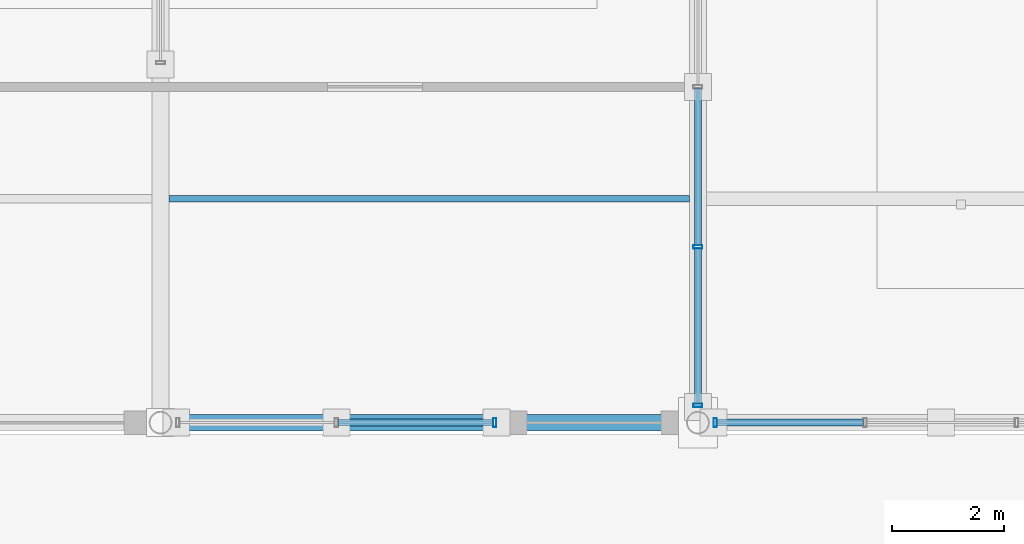
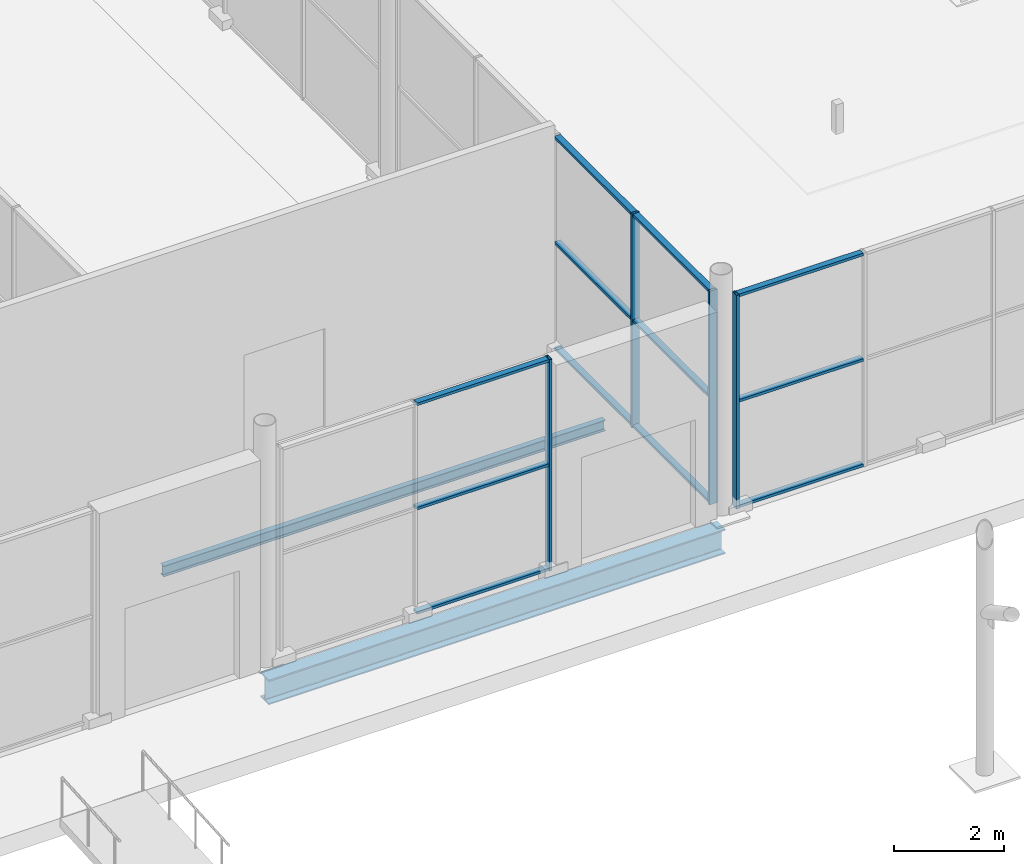
# One storey, part 61 of 196: 16 members, 2 beams, 3 elements without a shape of their own.
"""IFC4 building model written with IfcOpenShell, lengths in metres."""

import ifcopenshell
import ifcopenshell.guid

model = None  # the IFC model being written
_history = None  # IfcOwnerHistory: only IFC2X3 demands one
_inside = {}  # id of a spatial element -> (the spatial element, [elements in it])
_under = {}  # id of a project, library or spatial element -> (it, [spatial elements below it])
_declared = {}  # id of a project -> (the project, [libraries it declares])
_typed = {}  # id of a type object -> (the type object, [elements of that type])
_made_of = {}  # id of a material, layer set ... -> (it, [elements and type objects made of it])


def new_model(schema):
    """Start an empty IFC model of exactly this schema.

    Asked for "IFC4X3", IfcOpenShell would pick the latest addendum, in which some entities
    have other attributes; the version numbers below select the first issue.
    IFC2X3 requires an IfcOwnerHistory on every rooted entity: one is made here for all.
    """
    global model, _history
    if schema == "IFC4X3":
        model = ifcopenshell.file(schema_version=(4, 3, 0, 0))
    else:
        model = ifcopenshell.file(schema=schema)
    _inside.clear()
    _under.clear()
    _declared.clear()
    _typed.clear()
    _made_of.clear()
    _history = None
    if model.schema == "IFC2X3":
        org = make("IfcOrganization", Name="unknown")
        user = make(
            "IfcPersonAndOrganization",
            ThePerson=make("IfcPerson", FamilyName="unknown"),
            TheOrganization=org,
        )
        app = make(
            "IfcApplication",
            ApplicationDeveloper=org,
            Version="unknown",
            ApplicationFullName="unknown",
            ApplicationIdentifier="unknown",
        )
        _history = make(
            "IfcOwnerHistory",
            OwningUser=user,
            OwningApplication=app,
            ChangeAction="ADDED",
            CreationDate=0,
        )
    return model


def make(cls, **values):
    """One entity of the class cls with the attributes given. An attribute that is None is left unset."""
    return model.create_entity(
        cls, **{name: value for name, value in values.items() if value is not None}
    )


def rooted(cls, **values):
    """An entity with a GlobalId (a new one), such as an element, a storey or a relation."""
    return make(cls, GlobalId=ifcopenshell.guid.new(), OwnerHistory=_history, **values)


def si_unit(unit_type, name, prefix=None):
    """IfcSIUnit, for example si_unit("LENGTHUNIT", "METRE", prefix="MILLI")."""
    return make("IfcSIUnit", UnitType=unit_type, Prefix=prefix, Name=name)


def assignment(units):
    """IfcUnitAssignment: the units of a project."""
    return None if units is None else make("IfcUnitAssignment", Units=units)


def point(xyz):
    """IfcCartesianPoint."""
    return None if xyz is None else make("IfcCartesianPoint", Coordinates=xyz)


def direction(xyz):
    """IfcDirection."""
    return None if xyz is None else make("IfcDirection", DirectionRatios=xyz)


def frame(location, z_axis=None, x_axis=None):
    """IfcAxis2Placement3D, a coordinate frame: its origin and axes. An axis left out is left unset."""
    return make(
        "IfcAxis2Placement3D",
        Location=point(location),
        Axis=direction(z_axis),
        RefDirection=direction(x_axis),
    )


def frame_2d(location, x_axis=None):
    """IfcAxis2Placement2D, a coordinate frame in the plane: its origin and x axis."""
    return make(
        "IfcAxis2Placement2D", Location=point(location), RefDirection=direction(x_axis)
    )


def origin():
    """The frame at (0, 0, 0) with its axes left unset."""
    return frame((0.0, 0.0, 0.0))


def origin_2d():
    """The frame at (0, 0) in the plane with its x axis left unset."""
    return frame_2d((0.0, 0.0))


def place(relative_to, where):
    """IfcLocalPlacement: puts the frame where relative to a parent placement (None: the world)."""
    return make(
        "IfcLocalPlacement", PlacementRelTo=relative_to, RelativePlacement=where
    )


def context(
    kind, dimensions, precision=None, world=None, true_north=None, identifier=None
):
    """IfcGeometricRepresentationContext, for example the 3D "Model" context."""
    return make(
        "IfcGeometricRepresentationContext",
        ContextIdentifier=identifier,
        ContextType=kind,
        CoordinateSpaceDimension=dimensions,
        Precision=precision,
        WorldCoordinateSystem=world,
        TrueNorth=true_north,
    )


def subcontext(parent, identifier, kind, view, scale=None):
    """IfcGeometricRepresentationSubContext, for example "Body" below "Model"."""
    return make(
        "IfcGeometricRepresentationSubContext",
        ContextIdentifier=identifier,
        ContextType=kind,
        ParentContext=parent,
        TargetScale=scale,
        TargetView=view,
    )


def project(units=None, contexts=None):
    """IfcProject with its units and contexts."""
    return rooted(
        "IfcProject",
        Name="project",
        RepresentationContexts=contexts,
        UnitsInContext=assignment(units),
    )


def spatial(cls, under=None, at=None, **own):
    """A site, building, storey or space (cls), placed at a placement, below another one or the project."""
    s = rooted(cls, ObjectPlacement=at, **own)
    if under is not None:
        _under.setdefault(under.id(), (under, []))[1].append(s)
    return s


def profile(cls, at=None, kind="AREA", **sizes):
    """A parametric profile (cls). Its sizes go by their IFC names, for example OverallWidth=200.0."""
    return make(cls, ProfileType=kind, Position=at, **sizes)


def hollow_rectangle(**sizes):
    """IfcRectangleHollowProfileDef."""
    return profile("IfcRectangleHollowProfileDef", **sizes)


def i_section(**sizes):
    """IfcIShapeProfileDef."""
    return profile("IfcIShapeProfileDef", **sizes)


def extrude(swept, where, along, depth):
    """IfcExtrudedAreaSolid: the profile swept, set in the frame where, extruded along a direction by depth."""
    return make(
        "IfcExtrudedAreaSolid",
        SweptArea=swept,
        Position=where,
        ExtrudedDirection=direction(along),
        Depth=depth,
    )


def shape(context_of_items, identifier, shape_type, items):
    """IfcShapeRepresentation: the items that make up one representation, for example the "Body"."""
    return make(
        "IfcShapeRepresentation",
        ContextOfItems=context_of_items,
        RepresentationIdentifier=identifier,
        RepresentationType=shape_type,
        Items=items,
    )


def material(Name=None, Category=None):
    """IfcMaterial."""
    return make("IfcMaterial", Name=Name, Category=Category)


def material_profile(
    of_material, cross_section, Name=None, Category=None, Priority=None
):
    """IfcMaterialProfile: a cross section and its material."""
    return make(
        "IfcMaterialProfile",
        Name=Name,
        Material=of_material,
        Profile=cross_section,
        Priority=Priority,
        Category=Category,
    )


def profile_set(profiles, Name=None, composite=None):
    """IfcMaterialProfileSet."""
    return make(
        "IfcMaterialProfileSet",
        Name=Name,
        MaterialProfiles=profiles,
        CompositeProfile=composite,
    )


def made_of(thing, what):
    """Note that an element or type object is made of a material, layer set ...; save() writes the relation."""
    if what is not None:
        _made_of.setdefault(what.id(), (what, []))[1].append(thing)
    return thing


def type_object(cls, material=None, **own):
    """A type object (cls), such as IfcWallType, which elements share."""
    return made_of(rooted(cls, **own), material)


def element(
    cls,
    number,
    at=None,
    inside=None,
    cuts=None,
    type_object=None,
    material=None,
    context=None,
    identifier="Body",
    shape_type=None,
    held_by="IfcProductDefinitionShape",
    body=None,
    shapes=None,
    **own,
):
    """One element of the class cls, such as IfcWall. Its Tag is "e" and its number.

    at: its placement. inside: the storey or other place that contains it. cuts: it is an
    opening in that element (IfcRelVoidsElement). A single representation is given by context,
    identifier, shape_type and body (its items); several are given by shapes. held_by: the class
    of the entity that holds the representations. save() writes the other relations.
    """
    e = rooted(cls, Tag="e%d" % number, ObjectPlacement=at, **own)
    if body is not None:
        shapes = [shape(context, identifier, shape_type, body)]
    if shapes is not None:
        e.Representation = make(held_by, Representations=shapes)
    if inside is not None:
        _inside.setdefault(inside.id(), (inside, []))[1].append(e)
    if cuts is not None:
        rooted(
            "IfcRelVoidsElement", RelatingBuildingElement=cuts, RelatedOpeningElement=e
        )
    if type_object is not None:
        _typed.setdefault(type_object.id(), (type_object, []))[1].append(e)
    return made_of(e, material)


def aggregate(whole, parts):
    """IfcRelAggregates: a whole, such as a stair, and the parts it consists of."""
    return rooted("IfcRelAggregates", RelatingObject=whole, RelatedObjects=parts)


def save(model, path):
    """Write the relations noted so far, then the file.

    IfcRelAggregates (storeys below a building ...), IfcRelContainedInSpatialStructure (elements
    in a storey), IfcRelDefinesByType, IfcRelAssociatesMaterial and IfcRelDeclares: one each for
    every whole, place, type object, material and project.
    """
    for whole, parts in _under.values():
        aggregate(whole, parts)
    for where, things in _inside.values():
        rooted(
            "IfcRelContainedInSpatialStructure",
            RelatedElements=things,
            RelatingStructure=where,
        )
    for kind, things in _typed.values():
        rooted("IfcRelDefinesByType", RelatedObjects=things, RelatingType=kind)
    for what, things in _made_of.values():
        rooted("IfcRelAssociatesMaterial", RelatedObjects=things, RelatingMaterial=what)
    for by, libraries in _declared.values():
        rooted("IfcRelDeclares", RelatingContext=by, RelatedDefinitions=libraries)
    model.write(path)


model = new_model("IFC4")

# Units and contexts
model_context = context("Model", 3, precision=1e-05, world=origin(), true_north=direction((0.0, 1.0)))
body_context = subcontext(model_context, "Body", "Model", "MODEL_VIEW")
ifc_project = project(units=[si_unit("LENGTHUNIT", "METRE"), si_unit("AREAUNIT", "SQUARE_METRE"), si_unit("VOLUMEUNIT", "CUBIC_METRE"), si_unit("PLANEANGLEUNIT", "RADIAN"), si_unit("MASSUNIT", "GRAM", prefix="KILO")], contexts=[model_context])

# Site, building, storey
site_placement = place(None, origin())
site = spatial("IfcSite", under=ifc_project, at=site_placement, CompositionType="ELEMENT")
building_placement = place(site_placement, origin())
building = spatial("IfcBuilding", under=site, at=building_placement, Name="Merenkruunu Market Hall", CompositionType="ELEMENT")
storey_placement = place(building_placement, origin())
storey = spatial("IfcBuildingStorey", under=building, at=storey_placement, Name="L00", CompositionType="ELEMENT", Elevation=0.0)

# Curtain wall, member
ifc_material_1 = material(Name="Powder-coated aluminium", Category="aluminium")
curtain_wall_type_1 = type_object("IfcCurtainWallType", Name="Glazed Curtain Wall CW06", PredefinedType="USERDEFINED", material=ifc_material_1)
curtain_wall_1_placement = place(storey_placement, origin())
curtain_wall_1 = element("IfcCurtainWall", 1, at=curtain_wall_1_placement, inside=storey, type_object=curtain_wall_type_1, Name="CW-L00-CWM01-145", ObjectType="GLAZED_FACADE", PredefinedType="USERDEFINED")
ifc_material_profile_1 = material_profile(ifc_material_1, hollow_rectangle(XDim=0.06005859375, YDim=0.159912109375, WallThickness=0.00390625, at=origin_2d()), Name="ALU 60x160x4")
ifc_profile_set_1 = profile_set([ifc_material_profile_1], Name="Powder-coated aluminium")
member_type_1 = type_object("IfcMemberType", Name="Curtain Wall Mullion CWM01", PredefinedType="MULLION", material=ifc_profile_set_1)
member_1_placement = place(storey_placement, frame((73.169921875, 15.60009765625, 0.0), z_axis=(0.0, 0.0, 1.0), x_axis=(-1.0, 0.0, 0.0)))
member_1 = element("IfcMember", 2, at=member_1_placement, type_object=member_type_1, Name="CW06 mullion 1", PredefinedType="MULLION", context=body_context, shape_type="SweptSolid", body=[
    extrude(hollow_rectangle(XDim=0.06005859375, YDim=0.159912109375, WallThickness=0.00390625, at=origin_2d()), origin(), (0.0, 0.0, 1.0), 4.699951171875),
])

# Curtain wall, members
curtain_wall_type_2 = type_object("IfcCurtainWallType", Name="Glazed Curtain Wall CW05", PredefinedType="USERDEFINED", material=ifc_material_1)
curtain_wall_2_placement = place(storey_placement, origin())
curtain_wall_2 = element("IfcCurtainWall", 3, at=curtain_wall_2_placement, inside=storey, type_object=curtain_wall_type_2, Name="CW-L00-CWM01-151", ObjectType="GLAZED_FACADE", PredefinedType="USERDEFINED")
member_2_placement = place(storey_placement, frame((76.800048828125, 15.909912109375, 0.0), z_axis=(0.0, 0.0, 1.0), x_axis=(0.0, 1.0, 0.0)))
member_2 = element("IfcMember", 4, at=member_2_placement, type_object=member_type_1, Name="CW05 mullion 1", PredefinedType="MULLION", context=body_context, shape_type="SweptSolid", body=[
    extrude(hollow_rectangle(XDim=0.06005859375, YDim=0.159912109375, WallThickness=0.00390625, at=origin_2d()), origin(), (0.0, 0.0, 1.0), 4.75),
])
member_3_placement = place(storey_placement, frame((76.800048828125, 18.739990234375, 0.0), z_axis=(0.0, 0.0, 1.0), x_axis=(0.0, 1.0, 0.0)))
member_3 = element("IfcMember", 5, at=member_3_placement, type_object=member_type_1, Name="CW05 mullion 2", PredefinedType="MULLION", context=body_context, shape_type="SweptSolid", body=[
    extrude(hollow_rectangle(XDim=0.06005859375, YDim=0.159912109375, WallThickness=0.00390625, at=origin_2d()), origin(), (0.0, 0.0, 1.0), 4.75),
])

# Curtain wall, member
curtain_wall_3_placement = place(storey_placement, origin())
curtain_wall_3 = element("IfcCurtainWall", 6, at=curtain_wall_3_placement, inside=storey, type_object=curtain_wall_type_1, Name="CW-L00-CWM01-180", ObjectType="GLAZED_FACADE", PredefinedType="USERDEFINED")
member_4_placement = place(storey_placement, frame((77.110107421875, 15.60009765625, 0.0), z_axis=(0.0, 0.0, 1.0), x_axis=(-1.0, 0.0, 0.0)))
member_4 = element("IfcMember", 7, at=member_4_placement, type_object=member_type_1, Name="CW06 mullion 4", PredefinedType="MULLION", context=body_context, shape_type="SweptSolid", body=[
    extrude(hollow_rectangle(XDim=0.06005859375, YDim=0.159912109375, WallThickness=0.00390625, at=origin_2d()), origin(), (0.0, 0.0, 1.0), 4.75),
])

# Member
ifc_material_profile_2 = material_profile(ifc_material_1, hollow_rectangle(XDim=0.06005859375, YDim=0.125, WallThickness=0.00390625, at=origin_2d()), Name="ALU 60x125x4")
ifc_profile_set_2 = profile_set([ifc_material_profile_2], Name="Powder-coated aluminium")
member_type_2 = type_object("IfcMemberType", Name="Curtain Wall Transom CWT01", PredefinedType="USERDEFINED", material=ifc_profile_set_2)
member_5_placement = place(storey_placement, frame((73.139892578125, 15.60009765625, 0.030029296875), z_axis=(-1.0, 0.0, 0.0), x_axis=(0.0, 0.0, 1.0)))
member_5 = element("IfcMember", 8, at=member_5_placement, type_object=member_type_2, Name="CW06 transom 1.1", ObjectType="TRANSOM", PredefinedType="USERDEFINED", context=body_context, shape_type="SweptSolid", body=[
    extrude(hollow_rectangle(XDim=0.06005859375, YDim=0.125, WallThickness=0.00390625, at=origin_2d()), origin(), (0.0, 0.0, 1.0), 2.769775390625),
])

member_6_placement = place(storey_placement, frame((73.139892578125, 15.60009765625, 2.35009765625), z_axis=(-1.0, 0.0, 0.0), x_axis=(0.0, 0.0, 1.0)))
member_6 = element("IfcMember", 9, at=member_6_placement, type_object=member_type_2, Name="CW06 transom 1.2", ObjectType="TRANSOM", PredefinedType="USERDEFINED", context=body_context, shape_type="SweptSolid", body=[
    extrude(hollow_rectangle(XDim=0.06005859375, YDim=0.125, WallThickness=0.00390625, at=origin_2d()), origin(), (0.0, 0.0, 1.0), 2.769775390625),
])

member_7_placement = place(storey_placement, frame((73.139892578125, 15.60009765625, 4.669921875), z_axis=(-1.0, 0.0, 0.0), x_axis=(0.0, 0.0, 1.0)))
member_7 = element("IfcMember", 10, at=member_7_placement, type_object=member_type_2, Name="CW06 transom 1.3", ObjectType="TRANSOM", PredefinedType="USERDEFINED", context=body_context, shape_type="SweptSolid", body=[
    extrude(hollow_rectangle(XDim=0.06005859375, YDim=0.125, WallThickness=0.00390625, at=origin_2d()), origin(), (0.0, 0.0, 1.0), 2.769775390625),
])

aggregate(curtain_wall_1, [member_1, member_5, member_6, member_7])

member_8_placement = place(storey_placement, frame((76.800048828125, 15.93994140625, 0.030029296875), z_axis=(0.0, 1.0, 0.0), x_axis=(0.0, 0.0, 1.0)))
member_8 = element("IfcMember", 11, at=member_8_placement, type_object=member_type_2, Name="CW05 transom 1.1", ObjectType="TRANSOM", PredefinedType="USERDEFINED", context=body_context, shape_type="SweptSolid", body=[
    extrude(hollow_rectangle(XDim=0.06005859375, YDim=0.125, WallThickness=0.00390625, at=origin_2d()), origin(), (0.0, 0.0, 1.0), 2.77001953125),
])

member_9_placement = place(storey_placement, frame((76.800048828125, 15.93994140625, 2.375), z_axis=(0.0, 1.0, 0.0), x_axis=(0.0, 0.0, 1.0)))
member_9 = element("IfcMember", 12, at=member_9_placement, type_object=member_type_2, Name="CW05 transom 1.2", ObjectType="TRANSOM", PredefinedType="USERDEFINED", context=body_context, shape_type="SweptSolid", body=[
    extrude(hollow_rectangle(XDim=0.06005859375, YDim=0.125, WallThickness=0.00390625, at=origin_2d()), origin(), (0.0, 0.0, 1.0), 2.77001953125),
])

member_10_placement = place(storey_placement, frame((76.800048828125, 15.93994140625, 4.719970703125), z_axis=(0.0, 1.0, 0.0), x_axis=(0.0, 0.0, 1.0)))
member_10 = element("IfcMember", 13, at=member_10_placement, type_object=member_type_2, Name="CW05 transom 1.3", ObjectType="TRANSOM", PredefinedType="USERDEFINED", context=body_context, shape_type="SweptSolid", body=[
    extrude(hollow_rectangle(XDim=0.06005859375, YDim=0.125, WallThickness=0.00390625, at=origin_2d()), origin(), (0.0, 0.0, 1.0), 2.77001953125),
])

member_11_placement = place(storey_placement, frame((76.800048828125, 18.77001953125, 0.030029296875), z_axis=(0.0, 1.0, 0.0), x_axis=(0.0, 0.0, 1.0)))
member_11 = element("IfcMember", 14, at=member_11_placement, type_object=member_type_2, Name="CW05 transom 2.1", ObjectType="TRANSOM", PredefinedType="USERDEFINED", context=body_context, shape_type="SweptSolid", body=[
    extrude(hollow_rectangle(XDim=0.06005859375, YDim=0.125, WallThickness=0.00390625, at=origin_2d()), origin(), (0.0, 0.0, 1.0), 2.800048828125),
])

member_12_placement = place(storey_placement, frame((76.800048828125, 18.77001953125, 2.375), z_axis=(0.0, 1.0, 0.0), x_axis=(0.0, 0.0, 1.0)))
member_12 = element("IfcMember", 15, at=member_12_placement, type_object=member_type_2, Name="CW05 transom 2.2", ObjectType="TRANSOM", PredefinedType="USERDEFINED", context=body_context, shape_type="SweptSolid", body=[
    extrude(hollow_rectangle(XDim=0.06005859375, YDim=0.125, WallThickness=0.00390625, at=origin_2d()), origin(), (0.0, 0.0, 1.0), 2.800048828125),
])

member_13_placement = place(storey_placement, frame((76.800048828125, 18.77001953125, 4.719970703125), z_axis=(0.0, 1.0, 0.0), x_axis=(0.0, 0.0, 1.0)))
member_13 = element("IfcMember", 16, at=member_13_placement, type_object=member_type_2, Name="CW05 transom 2.3", ObjectType="TRANSOM", PredefinedType="USERDEFINED", context=body_context, shape_type="SweptSolid", body=[
    extrude(hollow_rectangle(XDim=0.06005859375, YDim=0.125, WallThickness=0.00390625, at=origin_2d()), origin(), (0.0, 0.0, 1.0), 2.800048828125),
])

aggregate(curtain_wall_2, [member_2, member_3, member_8, member_9, member_10, member_11, member_12, member_13])

member_14_placement = place(storey_placement, frame((79.756591796875, 15.60009765625, 0.030029296875), z_axis=(-1.0, 0.0, 0.0), x_axis=(0.0, 0.0, 1.0)))
member_14 = element("IfcMember", 17, at=member_14_placement, type_object=member_type_2, Name="CW06 transom 3.1", ObjectType="TRANSOM", PredefinedType="USERDEFINED", context=body_context, shape_type="SweptSolid", body=[
    extrude(hollow_rectangle(XDim=0.06005859375, YDim=0.125, WallThickness=0.00390625, at=origin_2d()), origin(), (0.0, 0.0, 1.0), 2.61669921875),
])

member_15_placement = place(storey_placement, frame((79.756591796875, 15.60009765625, 2.375), z_axis=(-1.0, 0.0, 0.0), x_axis=(0.0, 0.0, 1.0)))
member_15 = element("IfcMember", 18, at=member_15_placement, type_object=member_type_2, Name="CW06 transom 3.2", ObjectType="TRANSOM", PredefinedType="USERDEFINED", context=body_context, shape_type="SweptSolid", body=[
    extrude(hollow_rectangle(XDim=0.06005859375, YDim=0.125, WallThickness=0.00390625, at=origin_2d()), origin(), (0.0, 0.0, 1.0), 2.61669921875),
])

member_16_placement = place(storey_placement, frame((79.756591796875, 15.60009765625, 4.719970703125), z_axis=(-1.0, 0.0, 0.0), x_axis=(0.0, 0.0, 1.0)))
member_16 = element("IfcMember", 19, at=member_16_placement, type_object=member_type_2, Name="CW06 transom 3.3", ObjectType="TRANSOM", PredefinedType="USERDEFINED", context=body_context, shape_type="SweptSolid", body=[
    extrude(hollow_rectangle(XDim=0.06005859375, YDim=0.125, WallThickness=0.00390625, at=origin_2d()), origin(), (0.0, 0.0, 1.0), 2.61669921875),
])

aggregate(curtain_wall_3, [member_4, member_14, member_15, member_16])

# Beams
ifc_material_2 = material(Name="Steel S355J2", Category="steel")
ifc_material_profile_3 = material_profile(ifc_material_2, i_section(OverallWidth=0.300048828125, OverallDepth=0.550048828125, WebThickness=0.014892578125, FlangeThickness=0.029052734375, FilletRadius=0.027099609375, at=origin_2d()), Name="HEB 550")
ifc_profile_set_3 = profile_set([ifc_material_profile_3], Name="Steel S355J2")
beam_type_1 = type_object("IfcBeamType", Name="Primary Floor Girder B02", PredefinedType="BEAM", material=ifc_profile_set_3)
beam_1_placement = place(storey_placement, frame((67.199951171875, 15.60009765625, -0.574951171875), z_axis=(1.0, 0.0, 0.0), x_axis=(0.0, 1.0, 0.0)))
element("IfcBeam", 20, at=beam_1_placement, inside=storey, type_object=beam_type_1, Name="BM-L00-B02-0016", PredefinedType="BEAM", context=body_context, shape_type="SweptSolid", body=[
    extrude(i_section(OverallWidth=0.300048828125, OverallDepth=0.550048828125, WebThickness=0.014892578125, FlangeThickness=0.029052734375, FilletRadius=0.027099609375, at=origin_2d()), origin(), (0.0, 0.0, 1.0), 9.60009765625),
])
ifc_material_profile_4 = material_profile(ifc_material_2, i_section(OverallWidth=0.1201171875, OverallDepth=0.239990234375, WebThickness=0.006103515625, FlangeThickness=0.009765625, FilletRadius=0.014892578125, at=origin_2d()), Name="IPE 240")
ifc_profile_set_4 = profile_set([ifc_material_profile_4], Name="Steel S355J2")
beam_type_2 = type_object("IfcBeamType", Name="Secondary Floor Joist J05", PredefinedType="JOIST", material=ifc_profile_set_4)
beam_2_placement = place(storey_placement, frame((67.35302734375, 19.60009765625, -0.419921875), z_axis=(1.0, 0.0, 0.0), x_axis=(0.0, 1.0, 0.0)))
element("IfcBeam", 21, at=beam_2_placement, inside=storey, type_object=beam_type_2, Name="BM-L00-J05-0360", PredefinedType="JOIST", context=body_context, shape_type="SweptSolid", body=[
    extrude(i_section(OverallWidth=0.1201171875, OverallDepth=0.239990234375, WebThickness=0.006103515625, FlangeThickness=0.009765625, FilletRadius=0.014892578125, at=origin_2d()), origin(), (0.0, 0.0, 1.0), 9.2939453125),
])

save(model, "model.ifc")
